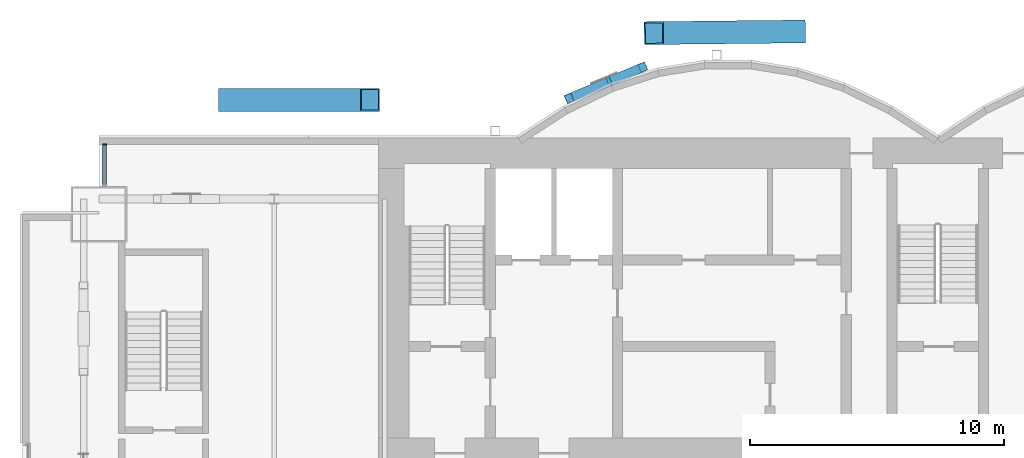
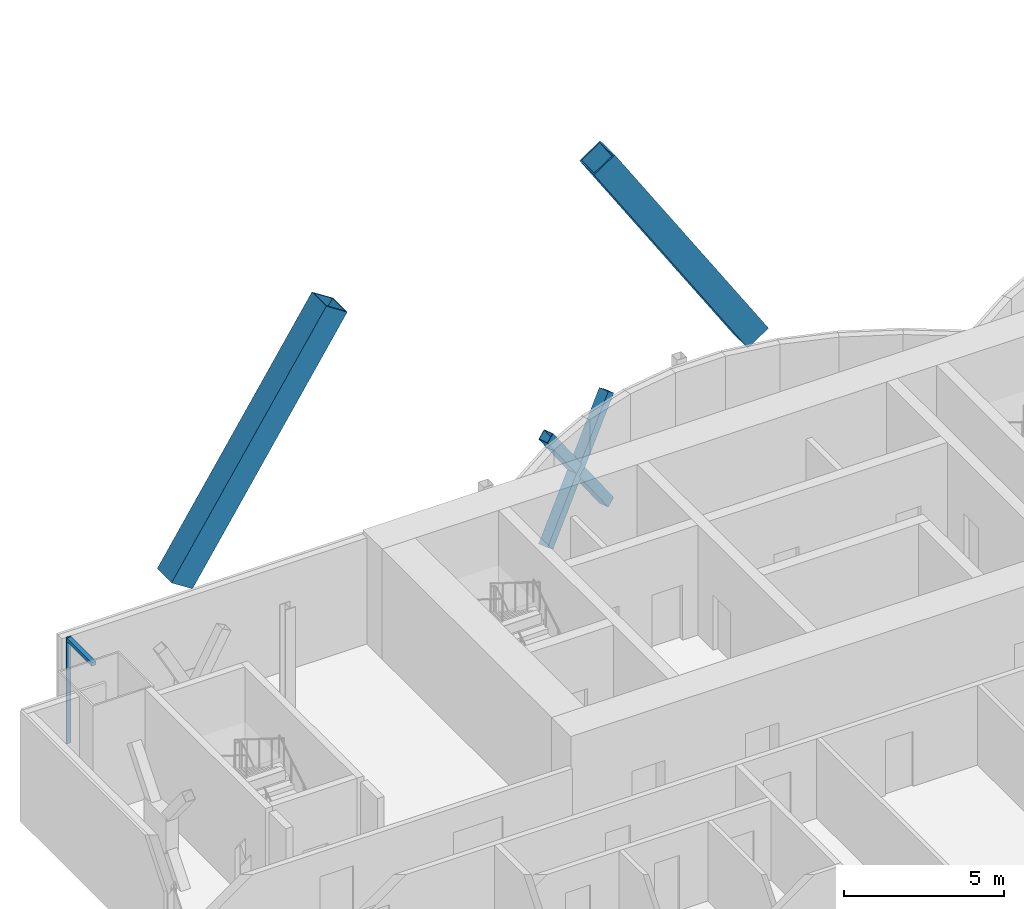
# One storey, part 10 of 20: 7 members, 1 element without a shape of its own.
"""IFC4 building model written with IfcOpenShell, lengths in metres."""

import ifcopenshell
import ifcopenshell.guid

model = None  # the IFC model being written
_history = None  # IfcOwnerHistory: only IFC2X3 demands one
_inside = {}  # id of a spatial element -> (the spatial element, [elements in it])
_under = {}  # id of a project, library or spatial element -> (it, [spatial elements below it])
_declared = {}  # id of a project -> (the project, [libraries it declares])
_typed = {}  # id of a type object -> (the type object, [elements of that type])
_made_of = {}  # id of a material, layer set ... -> (it, [elements and type objects made of it])


def new_model(schema):
    """Start an empty IFC model of exactly this schema.

    Asked for "IFC4X3", IfcOpenShell would pick the latest addendum, in which some entities
    have other attributes; the version numbers below select the first issue.
    IFC2X3 requires an IfcOwnerHistory on every rooted entity: one is made here for all.
    """
    global model, _history
    if schema == "IFC4X3":
        model = ifcopenshell.file(schema_version=(4, 3, 0, 0))
    else:
        model = ifcopenshell.file(schema=schema)
    _inside.clear()
    _under.clear()
    _declared.clear()
    _typed.clear()
    _made_of.clear()
    _history = None
    if model.schema == "IFC2X3":
        org = make("IfcOrganization", Name="unknown")
        user = make(
            "IfcPersonAndOrganization",
            ThePerson=make("IfcPerson", FamilyName="unknown"),
            TheOrganization=org,
        )
        app = make(
            "IfcApplication",
            ApplicationDeveloper=org,
            Version="unknown",
            ApplicationFullName="unknown",
            ApplicationIdentifier="unknown",
        )
        _history = make(
            "IfcOwnerHistory",
            OwningUser=user,
            OwningApplication=app,
            ChangeAction="ADDED",
            CreationDate=0,
        )
    return model


def make(cls, **values):
    """One entity of the class cls with the attributes given. An attribute that is None is left unset."""
    return model.create_entity(
        cls, **{name: value for name, value in values.items() if value is not None}
    )


def rooted(cls, **values):
    """An entity with a GlobalId (a new one), such as an element, a storey or a relation."""
    return make(cls, GlobalId=ifcopenshell.guid.new(), OwnerHistory=_history, **values)


def si_unit(unit_type, name, prefix=None):
    """IfcSIUnit, for example si_unit("LENGTHUNIT", "METRE", prefix="MILLI")."""
    return make("IfcSIUnit", UnitType=unit_type, Prefix=prefix, Name=name)


def assignment(units):
    """IfcUnitAssignment: the units of a project."""
    return None if units is None else make("IfcUnitAssignment", Units=units)


def point(xyz):
    """IfcCartesianPoint."""
    return None if xyz is None else make("IfcCartesianPoint", Coordinates=xyz)


def direction(xyz):
    """IfcDirection."""
    return None if xyz is None else make("IfcDirection", DirectionRatios=xyz)


def frame(location, z_axis=None, x_axis=None):
    """IfcAxis2Placement3D, a coordinate frame: its origin and axes. An axis left out is left unset."""
    return make(
        "IfcAxis2Placement3D",
        Location=point(location),
        Axis=direction(z_axis),
        RefDirection=direction(x_axis),
    )


def frame_2d(location, x_axis=None):
    """IfcAxis2Placement2D, a coordinate frame in the plane: its origin and x axis."""
    return make(
        "IfcAxis2Placement2D", Location=point(location), RefDirection=direction(x_axis)
    )


def origin():
    """The frame at (0, 0, 0) with its axes left unset."""
    return frame((0.0, 0.0, 0.0))


def origin_2d():
    """The frame at (0, 0) in the plane with its x axis left unset."""
    return frame_2d((0.0, 0.0))


def place(relative_to, where):
    """IfcLocalPlacement: puts the frame where relative to a parent placement (None: the world)."""
    return make(
        "IfcLocalPlacement", PlacementRelTo=relative_to, RelativePlacement=where
    )


def context(
    kind, dimensions, precision=None, world=None, true_north=None, identifier=None
):
    """IfcGeometricRepresentationContext, for example the 3D "Model" context."""
    return make(
        "IfcGeometricRepresentationContext",
        ContextIdentifier=identifier,
        ContextType=kind,
        CoordinateSpaceDimension=dimensions,
        Precision=precision,
        WorldCoordinateSystem=world,
        TrueNorth=true_north,
    )


def subcontext(parent, identifier, kind, view, scale=None):
    """IfcGeometricRepresentationSubContext, for example "Body" below "Model"."""
    return make(
        "IfcGeometricRepresentationSubContext",
        ContextIdentifier=identifier,
        ContextType=kind,
        ParentContext=parent,
        TargetScale=scale,
        TargetView=view,
    )


def project(units=None, contexts=None):
    """IfcProject with its units and contexts."""
    return rooted(
        "IfcProject",
        Name="project",
        RepresentationContexts=contexts,
        UnitsInContext=assignment(units),
    )


def spatial(cls, under=None, at=None, **own):
    """A site, building, storey or space (cls), placed at a placement, below another one or the project."""
    s = rooted(cls, ObjectPlacement=at, **own)
    if under is not None:
        _under.setdefault(under.id(), (under, []))[1].append(s)
    return s


def profile(cls, at=None, kind="AREA", **sizes):
    """A parametric profile (cls). Its sizes go by their IFC names, for example OverallWidth=200.0."""
    return make(cls, ProfileType=kind, Position=at, **sizes)


def rectangle(**sizes):
    """IfcRectangleProfileDef."""
    return profile("IfcRectangleProfileDef", **sizes)


def hollow_rectangle(**sizes):
    """IfcRectangleHollowProfileDef."""
    return profile("IfcRectangleHollowProfileDef", **sizes)


def extrude(swept, where, along, depth):
    """IfcExtrudedAreaSolid: the profile swept, set in the frame where, extruded along a direction by depth."""
    return make(
        "IfcExtrudedAreaSolid",
        SweptArea=swept,
        Position=where,
        ExtrudedDirection=direction(along),
        Depth=depth,
    )


def shape(context_of_items, identifier, shape_type, items):
    """IfcShapeRepresentation: the items that make up one representation, for example the "Body"."""
    return make(
        "IfcShapeRepresentation",
        ContextOfItems=context_of_items,
        RepresentationIdentifier=identifier,
        RepresentationType=shape_type,
        Items=items,
    )


def material(Name=None, Category=None):
    """IfcMaterial."""
    return make("IfcMaterial", Name=Name, Category=Category)


def material_profile(
    of_material, cross_section, Name=None, Category=None, Priority=None
):
    """IfcMaterialProfile: a cross section and its material."""
    return make(
        "IfcMaterialProfile",
        Name=Name,
        Material=of_material,
        Profile=cross_section,
        Priority=Priority,
        Category=Category,
    )


def profile_set(profiles, Name=None, composite=None):
    """IfcMaterialProfileSet."""
    return make(
        "IfcMaterialProfileSet",
        Name=Name,
        MaterialProfiles=profiles,
        CompositeProfile=composite,
    )


def made_of(thing, what):
    """Note that an element or type object is made of a material, layer set ...; save() writes the relation."""
    if what is not None:
        _made_of.setdefault(what.id(), (what, []))[1].append(thing)
    return thing


def type_object(cls, material=None, **own):
    """A type object (cls), such as IfcWallType, which elements share."""
    return made_of(rooted(cls, **own), material)


def element(
    cls,
    number,
    at=None,
    inside=None,
    cuts=None,
    type_object=None,
    material=None,
    context=None,
    identifier="Body",
    shape_type=None,
    held_by="IfcProductDefinitionShape",
    body=None,
    shapes=None,
    **own,
):
    """One element of the class cls, such as IfcWall. Its Tag is "e" and its number.

    at: its placement. inside: the storey or other place that contains it. cuts: it is an
    opening in that element (IfcRelVoidsElement). A single representation is given by context,
    identifier, shape_type and body (its items); several are given by shapes. held_by: the class
    of the entity that holds the representations. save() writes the other relations.
    """
    e = rooted(cls, Tag="e%d" % number, ObjectPlacement=at, **own)
    if body is not None:
        shapes = [shape(context, identifier, shape_type, body)]
    if shapes is not None:
        e.Representation = make(held_by, Representations=shapes)
    if inside is not None:
        _inside.setdefault(inside.id(), (inside, []))[1].append(e)
    if cuts is not None:
        rooted(
            "IfcRelVoidsElement", RelatingBuildingElement=cuts, RelatedOpeningElement=e
        )
    if type_object is not None:
        _typed.setdefault(type_object.id(), (type_object, []))[1].append(e)
    return made_of(e, material)


def aggregate(whole, parts):
    """IfcRelAggregates: a whole, such as a stair, and the parts it consists of."""
    return rooted("IfcRelAggregates", RelatingObject=whole, RelatedObjects=parts)


def save(model, path):
    """Write the relations noted so far, then the file.

    IfcRelAggregates (storeys below a building ...), IfcRelContainedInSpatialStructure (elements
    in a storey), IfcRelDefinesByType, IfcRelAssociatesMaterial and IfcRelDeclares: one each for
    every whole, place, type object, material and project.
    """
    for whole, parts in _under.values():
        aggregate(whole, parts)
    for where, things in _inside.values():
        rooted(
            "IfcRelContainedInSpatialStructure",
            RelatedElements=things,
            RelatingStructure=where,
        )
    for kind, things in _typed.values():
        rooted("IfcRelDefinesByType", RelatedObjects=things, RelatingType=kind)
    for what, things in _made_of.values():
        rooted("IfcRelAssociatesMaterial", RelatedObjects=things, RelatingMaterial=what)
    for by, libraries in _declared.values():
        rooted("IfcRelDeclares", RelatingContext=by, RelatedDefinitions=libraries)
    model.write(path)


model = new_model("IFC4")

# Units and contexts
model_context = context("Model", 3, precision=1e-05, world=origin(), true_north=direction((0.0, 1.0)))
body_context = subcontext(model_context, "Body", "Model", "MODEL_VIEW")
ifc_project = project(units=[si_unit("LENGTHUNIT", "METRE"), si_unit("AREAUNIT", "SQUARE_METRE"), si_unit("VOLUMEUNIT", "CUBIC_METRE"), si_unit("PLANEANGLEUNIT", "RADIAN"), si_unit("MASSUNIT", "GRAM", prefix="KILO")], contexts=[model_context])

# Site, building, storey
site_placement = place(None, origin())
site = spatial("IfcSite", under=ifc_project, at=site_placement, CompositionType="ELEMENT")
building_placement = place(site_placement, origin())
building = spatial("IfcBuilding", under=site, at=building_placement, Name="Bicima Exchange Tower", CompositionType="ELEMENT")
storey_placement = place(building_placement, frame((0.0, 0.0, 245.60009765625)))
storey = spatial("IfcBuildingStorey", under=building, at=storey_placement, Name="L55", CompositionType="ELEMENT", Elevation=245.60009765625)

# Members
ifc_material_1 = material(Name="Steel ASTM A572 Gr 50", Category="steel")
ifc_material_profile_1 = material_profile(ifc_material_1, hollow_rectangle(XDim=0.89990234375, YDim=0.89990234375, WallThickness=0.050048828125, at=origin_2d()))
ifc_profile_set_1 = profile_set([ifc_material_profile_1], Name="Steel ASTM A572 Gr 50")
member_type_1 = type_object("IfcMemberType", Name="Exo mega brace BOX 900x900x50", PredefinedType="BRACE", material=ifc_profile_set_1)
member_1_placement = place(storey_placement, frame((-27.916748046875, 1.5, 3.5), z_axis=(0.544548888214, 0.0, 0.838729103075), x_axis=(0.0, 1.0, 0.0)))
element("IfcMember", 1, at=member_1_placement, inside=storey, type_object=member_type_1, Name="Exo mega brace rear", PredefinedType="BRACE", context=body_context, shape_type="SweptSolid", body=[
    extrude(hollow_rectangle(XDim=0.89990234375, YDim=0.89990234375, WallThickness=0.050048828125, at=origin_2d()), origin(), (0.0, 0.0, 1.0), 10.25341796875),
])
member_2_placement = place(storey_placement, frame((-5.583251953125, 4.1865234375, 3.5), z_axis=(-0.544539085696, -0.006000168325, 0.838714004968), x_axis=(0.011018133066, -0.99993929853, 0.0)))
element("IfcMember", 2, at=member_2_placement, inside=storey, type_object=member_type_1, Name="Exo mega brace rear", PredefinedType="BRACE", context=body_context, shape_type="SweptSolid", body=[
    extrude(hollow_rectangle(XDim=0.89990234375, YDim=0.89990234375, WallThickness=0.050048828125, at=origin_2d()), origin(), (0.0, 0.0, 1.0), 10.253662109375),
])

# Curtain wall, members
ifc_material_2 = material(Name="Anodised bronze aluminium", Category="aluminium")
curtain_wall_type = type_object("IfcCurtainWallType", Name="Front glass wall", PredefinedType="NOTDEFINED", material=ifc_material_2)
curtain_wall_placement = place(storey_placement, origin())
curtain_wall = element("IfcCurtainWall", 3, at=curtain_wall_placement, inside=storey, type_object=curtain_wall_type, Name="Front glass wall L55 run 1", PredefinedType="NOTDEFINED")
ifc_material_profile_2 = material_profile(ifc_material_2, rectangle(XDim=0.159912109375, YDim=0.06005859375, at=origin_2d()))
ifc_profile_set_2 = profile_set([ifc_material_profile_2], Name="Anodised bronze aluminium")
member_type_2 = type_object("IfcMemberType", Name="Front glass wall mullion 60 x 160", PredefinedType="MULLION", material=ifc_profile_set_2)
member_3_placement = place(storey_placement, frame((-32.77001953125, -0.260009765625, 0.0), z_axis=(0.0, 0.0, 1.0), x_axis=(1.0, 0.0, 0.0)))
member_3 = element("IfcMember", 4, at=member_3_placement, type_object=member_type_2, Name="Front glass wall mullion 1", PredefinedType="MULLION", context=body_context, shape_type="SweptSolid", body=[
    extrude(rectangle(XDim=0.159912109375, YDim=0.06005859375, at=origin_2d()), origin(), (0.0, 0.0, 1.0), 4.0498046875),
])
ifc_material_profile_3 = material_profile(ifc_material_2, rectangle(XDim=0.159912109375, YDim=0.139892578125, at=origin_2d()))
ifc_profile_set_3 = profile_set([ifc_material_profile_3], Name="Anodised bronze aluminium")
member_type_3 = type_object("IfcMemberType", Name="Front glass wall transom 140 x 160", PredefinedType="USERDEFINED", material=ifc_profile_set_3)
member_4_placement = place(storey_placement, frame((-32.77001953125, -0.2900390625, 3.97998046875), z_axis=(0.0, -1.0, 0.0), x_axis=(1.0, 0.0, 0.0)))
member_4 = element("IfcMember", 5, at=member_4_placement, type_object=member_type_3, Name="Front glass wall transom 1.1", ObjectType="TRANSOM", PredefinedType="USERDEFINED", context=body_context, shape_type="SweptSolid", body=[
    extrude(rectangle(XDim=0.159912109375, YDim=0.139892578125, at=origin_2d()), origin(), (0.0, 0.0, 1.0), 1.550048828125),
])
aggregate(curtain_wall, [member_3, member_4])

# Members
ifc_material_profile_4 = material_profile(ifc_material_1, hollow_rectangle(XDim=0.355712890625, YDim=0.355712890625, WallThickness=0.0146484375, at=origin_2d()))
ifc_profile_set_4 = profile_set([ifc_material_profile_4], Name="Steel ASTM A572 Gr 50")
member_type_4 = type_object("IfcMemberType", Name="Mega brace HSS14x14x5/8", PredefinedType="BRACE", material=ifc_profile_set_4)
member_5_placement = place(storey_placement, frame((-14.5, 1.55615234375, 0.0), z_axis=(0.552440755045, 0.233757133765, 0.800104252319), x_axis=(-0.389685518438, 0.920947988064, 0.0)))
element("IfcMember", 6, at=member_5_placement, inside=storey, type_object=member_type_4, Name="Mega brace rexo", PredefinedType="BRACE", context=body_context, shape_type="SweptSolid", body=[
    extrude(hollow_rectangle(XDim=0.355712890625, YDim=0.355712890625, WallThickness=0.0146484375, at=origin_2d()), origin(), (0.0, 0.0, 1.0), 5.249267578125),
])
member_6_placement = place(storey_placement, frame((-11.60009765625, 2.783203125, 0.0), z_axis=(-0.552420640626, -0.233757666529, 0.800117984518), x_axis=(0.389698305965, -0.920942577107, 0.0)))
element("IfcMember", 7, at=member_6_placement, inside=storey, type_object=member_type_4, Name="Mega brace rexo", PredefinedType="BRACE", context=body_context, shape_type="SweptSolid", body=[
    extrude(hollow_rectangle(XDim=0.355712890625, YDim=0.355712890625, WallThickness=0.0146484375, at=origin_2d()), origin(), (0.0, 0.0, 1.0), 2.50439453125),
])
member_7_placement = place(storey_placement, frame((-13.1162109375, 2.1416015625, 2.19580078125), z_axis=(-0.552445282839, -0.233726850432, 0.800109972976), x_axis=(0.389639990837, -0.920967251069, 0.0)))
element("IfcMember", 8, at=member_7_placement, inside=storey, type_object=member_type_4, Name="Mega brace rexo", PredefinedType="BRACE", context=body_context, shape_type="SweptSolid", body=[
    extrude(hollow_rectangle(XDim=0.355712890625, YDim=0.355712890625, WallThickness=0.0146484375, at=origin_2d()), origin(), (0.0, 0.0, 1.0), 2.5048828125),
])

save(model, "model.ifc")
